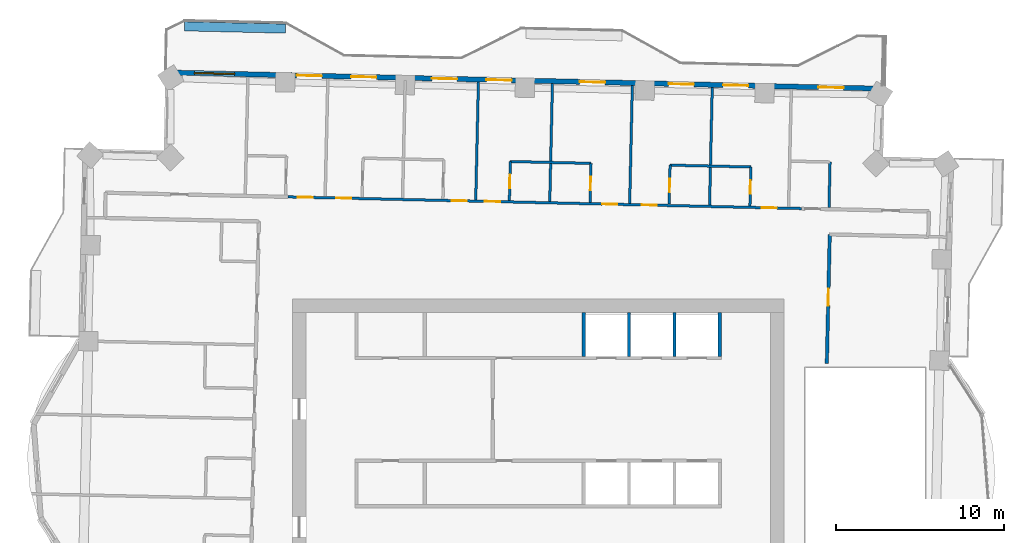
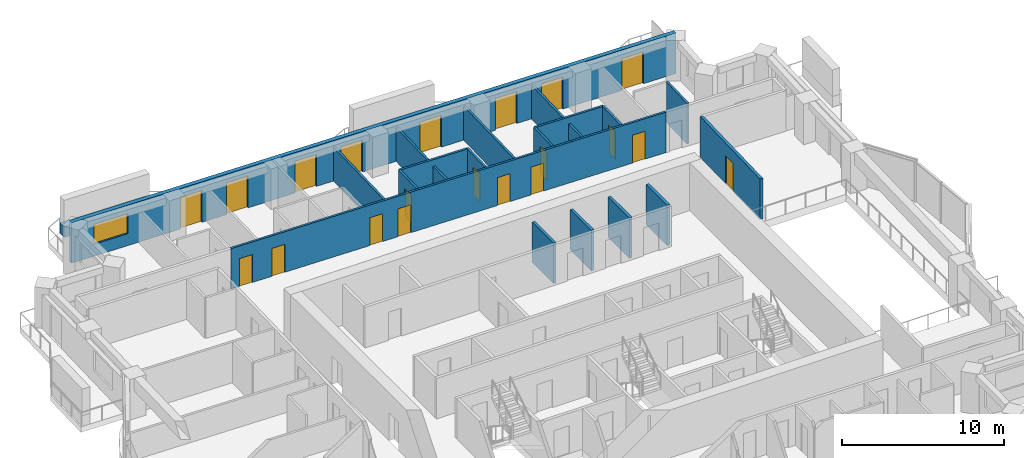
# One storey, part 11 of 16: 20 doors, 19 walls, 1 window, 21 openings.
"""IFC4 building model written with IfcOpenShell, lengths in metres."""

import ifcopenshell
import ifcopenshell.guid

model = None  # the IFC model being written
_history = None  # IfcOwnerHistory: only IFC2X3 demands one
_inside = {}  # id of a spatial element -> (the spatial element, [elements in it])
_under = {}  # id of a project, library or spatial element -> (it, [spatial elements below it])
_declared = {}  # id of a project -> (the project, [libraries it declares])
_typed = {}  # id of a type object -> (the type object, [elements of that type])
_made_of = {}  # id of a material, layer set ... -> (it, [elements and type objects made of it])


def new_model(schema):
    """Start an empty IFC model of exactly this schema.

    Asked for "IFC4X3", IfcOpenShell would pick the latest addendum, in which some entities
    have other attributes; the version numbers below select the first issue.
    IFC2X3 requires an IfcOwnerHistory on every rooted entity: one is made here for all.
    """
    global model, _history
    if schema == "IFC4X3":
        model = ifcopenshell.file(schema_version=(4, 3, 0, 0))
    else:
        model = ifcopenshell.file(schema=schema)
    _inside.clear()
    _under.clear()
    _declared.clear()
    _typed.clear()
    _made_of.clear()
    _history = None
    if model.schema == "IFC2X3":
        org = make("IfcOrganization", Name="unknown")
        user = make(
            "IfcPersonAndOrganization",
            ThePerson=make("IfcPerson", FamilyName="unknown"),
            TheOrganization=org,
        )
        app = make(
            "IfcApplication",
            ApplicationDeveloper=org,
            Version="unknown",
            ApplicationFullName="unknown",
            ApplicationIdentifier="unknown",
        )
        _history = make(
            "IfcOwnerHistory",
            OwningUser=user,
            OwningApplication=app,
            ChangeAction="ADDED",
            CreationDate=0,
        )
    return model


def make(cls, **values):
    """One entity of the class cls with the attributes given. An attribute that is None is left unset."""
    return model.create_entity(
        cls, **{name: value for name, value in values.items() if value is not None}
    )


def rooted(cls, **values):
    """An entity with a GlobalId (a new one), such as an element, a storey or a relation."""
    return make(cls, GlobalId=ifcopenshell.guid.new(), OwnerHistory=_history, **values)


def si_unit(unit_type, name, prefix=None):
    """IfcSIUnit, for example si_unit("LENGTHUNIT", "METRE", prefix="MILLI")."""
    return make("IfcSIUnit", UnitType=unit_type, Prefix=prefix, Name=name)


def assignment(units):
    """IfcUnitAssignment: the units of a project."""
    return None if units is None else make("IfcUnitAssignment", Units=units)


def point(xyz):
    """IfcCartesianPoint."""
    return None if xyz is None else make("IfcCartesianPoint", Coordinates=xyz)


def direction(xyz):
    """IfcDirection."""
    return None if xyz is None else make("IfcDirection", DirectionRatios=xyz)


def frame(location, z_axis=None, x_axis=None):
    """IfcAxis2Placement3D, a coordinate frame: its origin and axes. An axis left out is left unset."""
    return make(
        "IfcAxis2Placement3D",
        Location=point(location),
        Axis=direction(z_axis),
        RefDirection=direction(x_axis),
    )


def frame_2d(location, x_axis=None):
    """IfcAxis2Placement2D, a coordinate frame in the plane: its origin and x axis."""
    return make(
        "IfcAxis2Placement2D", Location=point(location), RefDirection=direction(x_axis)
    )


def origin():
    """The frame at (0, 0, 0) with its axes left unset."""
    return frame((0.0, 0.0, 0.0))


def place(relative_to, where):
    """IfcLocalPlacement: puts the frame where relative to a parent placement (None: the world)."""
    return make(
        "IfcLocalPlacement", PlacementRelTo=relative_to, RelativePlacement=where
    )


def context(
    kind, dimensions, precision=None, world=None, true_north=None, identifier=None
):
    """IfcGeometricRepresentationContext, for example the 3D "Model" context."""
    return make(
        "IfcGeometricRepresentationContext",
        ContextIdentifier=identifier,
        ContextType=kind,
        CoordinateSpaceDimension=dimensions,
        Precision=precision,
        WorldCoordinateSystem=world,
        TrueNorth=true_north,
    )


def subcontext(parent, identifier, kind, view, scale=None):
    """IfcGeometricRepresentationSubContext, for example "Body" below "Model"."""
    return make(
        "IfcGeometricRepresentationSubContext",
        ContextIdentifier=identifier,
        ContextType=kind,
        ParentContext=parent,
        TargetScale=scale,
        TargetView=view,
    )


def project(units=None, contexts=None):
    """IfcProject with its units and contexts."""
    return rooted(
        "IfcProject",
        Name="project",
        RepresentationContexts=contexts,
        UnitsInContext=assignment(units),
    )


def spatial(cls, under=None, at=None, **own):
    """A site, building, storey or space (cls), placed at a placement, below another one or the project."""
    s = rooted(cls, ObjectPlacement=at, **own)
    if under is not None:
        _under.setdefault(under.id(), (under, []))[1].append(s)
    return s


def profile(cls, at=None, kind="AREA", **sizes):
    """A parametric profile (cls). Its sizes go by their IFC names, for example OverallWidth=200.0."""
    return make(cls, ProfileType=kind, Position=at, **sizes)


def rectangle(**sizes):
    """IfcRectangleProfileDef."""
    return profile("IfcRectangleProfileDef", **sizes)


def extrude(swept, where, along, depth):
    """IfcExtrudedAreaSolid: the profile swept, set in the frame where, extruded along a direction by depth."""
    return make(
        "IfcExtrudedAreaSolid",
        SweptArea=swept,
        Position=where,
        ExtrudedDirection=direction(along),
        Depth=depth,
    )


def shape(context_of_items, identifier, shape_type, items):
    """IfcShapeRepresentation: the items that make up one representation, for example the "Body"."""
    return make(
        "IfcShapeRepresentation",
        ContextOfItems=context_of_items,
        RepresentationIdentifier=identifier,
        RepresentationType=shape_type,
        Items=items,
    )


def material(Name=None, Category=None):
    """IfcMaterial."""
    return make("IfcMaterial", Name=Name, Category=Category)


def layer(
    of_material, thickness, ventilated=None, Name=None, Category=None, Priority=None
):
    """IfcMaterialLayer: one layer of a wall or slab, of a material (None: an air gap)."""
    return make(
        "IfcMaterialLayer",
        Material=of_material,
        LayerThickness=thickness,
        IsVentilated=ventilated,
        Name=Name,
        Category=Category,
        Priority=Priority,
    )


def layer_set(layers, Name=None):
    """IfcMaterialLayerSet."""
    return make("IfcMaterialLayerSet", MaterialLayers=layers, LayerSetName=Name)


def made_of(thing, what):
    """Note that an element or type object is made of a material, layer set ...; save() writes the relation."""
    if what is not None:
        _made_of.setdefault(what.id(), (what, []))[1].append(thing)
    return thing


def type_object(cls, material=None, **own):
    """A type object (cls), such as IfcWallType, which elements share."""
    return made_of(rooted(cls, **own), material)


def element(
    cls,
    number,
    at=None,
    inside=None,
    cuts=None,
    type_object=None,
    material=None,
    context=None,
    identifier="Body",
    shape_type=None,
    held_by="IfcProductDefinitionShape",
    body=None,
    shapes=None,
    **own,
):
    """One element of the class cls, such as IfcWall. Its Tag is "e" and its number.

    at: its placement. inside: the storey or other place that contains it. cuts: it is an
    opening in that element (IfcRelVoidsElement). A single representation is given by context,
    identifier, shape_type and body (its items); several are given by shapes. held_by: the class
    of the entity that holds the representations. save() writes the other relations.
    """
    e = rooted(cls, Tag="e%d" % number, ObjectPlacement=at, **own)
    if body is not None:
        shapes = [shape(context, identifier, shape_type, body)]
    if shapes is not None:
        e.Representation = make(held_by, Representations=shapes)
    if inside is not None:
        _inside.setdefault(inside.id(), (inside, []))[1].append(e)
    if cuts is not None:
        rooted(
            "IfcRelVoidsElement", RelatingBuildingElement=cuts, RelatedOpeningElement=e
        )
    if type_object is not None:
        _typed.setdefault(type_object.id(), (type_object, []))[1].append(e)
    return made_of(e, material)


def fill(opening, filler):
    """IfcRelFillsElement: the door or window that sits in an opening."""
    return rooted(
        "IfcRelFillsElement",
        RelatingOpeningElement=opening,
        RelatedBuildingElement=filler,
    )


def aggregate(whole, parts):
    """IfcRelAggregates: a whole, such as a stair, and the parts it consists of."""
    return rooted("IfcRelAggregates", RelatingObject=whole, RelatedObjects=parts)


def save(model, path):
    """Write the relations noted so far, then the file.

    IfcRelAggregates (storeys below a building ...), IfcRelContainedInSpatialStructure (elements
    in a storey), IfcRelDefinesByType, IfcRelAssociatesMaterial and IfcRelDeclares: one each for
    every whole, place, type object, material and project.
    """
    for whole, parts in _under.values():
        aggregate(whole, parts)
    for where, things in _inside.values():
        rooted(
            "IfcRelContainedInSpatialStructure",
            RelatedElements=things,
            RelatingStructure=where,
        )
    for kind, things in _typed.values():
        rooted("IfcRelDefinesByType", RelatedObjects=things, RelatingType=kind)
    for what, things in _made_of.values():
        rooted("IfcRelAssociatesMaterial", RelatedObjects=things, RelatingMaterial=what)
    for by, libraries in _declared.values():
        rooted("IfcRelDeclares", RelatingContext=by, RelatedDefinitions=libraries)
    model.write(path)


model = new_model("IFC4")

# Units and contexts
model_context = context("Model", 3, precision=1e-05, world=origin(), true_north=direction((0.0, 1.0)))
body_context = subcontext(model_context, "Body", "Model", "MODEL_VIEW")
ifc_project = project(units=[si_unit("LENGTHUNIT", "METRE"), si_unit("AREAUNIT", "SQUARE_METRE"), si_unit("VOLUMEUNIT", "CUBIC_METRE"), si_unit("PLANEANGLEUNIT", "RADIAN"), si_unit("MASSUNIT", "GRAM", prefix="KILO")], contexts=[model_context])

# Site, building, storey
site_placement = place(None, origin())
site = spatial("IfcSite", under=ifc_project, at=site_placement, CompositionType="ELEMENT")
building_placement = place(site_placement, origin())
building = spatial("IfcBuilding", under=site, at=building_placement, Name="Mangrove Gate Tower", CompositionType="ELEMENT")
storey_placement = place(building_placement, frame((0.0, 0.0, 197.89990234375)))
storey = spatial("IfcBuildingStorey", under=building, at=storey_placement, Name="L50", CompositionType="ELEMENT", Elevation=197.89990234375)

# Walls
ifc_material_1 = material(Name="Concrete C60/75", Category="concrete")
ifc_layer_1 = layer(ifc_material_1, 0.199951171875)
ifc_layer_set_1 = layer_set([ifc_layer_1], Name="Core shaft wall 200 C60/75")
wall_type_1 = type_object("IfcWallType", Name="Core shaft wall 200 C60/75", PredefinedType="SHEAR", material=ifc_layer_set_1)
for number, where, z_axis, x_axis, name in (
    (1, (2.699951171875, 8.199951171875, 0.0), (0.0, 0.0, 1.0), (0.0, 1.0, 0.0), "WALL-L50-CORE-27"),
    (2, (5.39990234375, 8.199951171875, 0.0), (0.0, 0.0, 1.0), (0.0, 1.0, 0.0), "WALL-L50-CORE-28"),
    (3, (8.10009765625, 8.199951171875, 0.0), (0.0, 0.0, 1.0), (0.0, 1.0, 0.0), "WALL-L50-CORE-29"),
    (4, (10.800048828125, 8.199951171875, 0.0), (0.0, 0.0, 1.0), (0.0, 1.0, 0.0), "WALL-L50-CORE-30"),
):
    element("IfcWall", number, at=place(storey_placement, frame(where, z_axis=z_axis, x_axis=x_axis)), inside=storey, type_object=wall_type_1, Name=name, PredefinedType="SHEAR", context=body_context, shape_type="SweptSolid", body=[
        extrude(rectangle(XDim=2.60009765625, YDim=0.199951171875, at=frame_2d((1.300048828125, 0.0))), origin(), (0.0, 0.0, 1.0), 3.050048828125),
    ])

# Wall, opening, door
ifc_material_2 = material(Name="Gypsum board on steel stud, EI 60", Category="steel")
ifc_layer_2 = layer(ifc_material_2, 0.199951171875)
ifc_layer_set_2 = layer_set([ifc_layer_2], Name="Corridor wall EI 60")
wall_type_2 = type_object("IfcWallType", Name="Corridor wall EI 60", PredefinedType="PARTITIONING", material=ifc_layer_set_2)
wall_1_placement = place(storey_placement, frame((17.154052734375, 7.785888671875, 0.0), z_axis=(0.0, 0.0, 1.0), x_axis=(0.022680883318, 0.999742755679, 0.0)))
wall_1 = element("IfcWall", 5, at=wall_1_placement, inside=storey, type_object=wall_type_2, Name="WALL-L50-044", PredefinedType="PARTITIONING", context=body_context, shape_type="SweptSolid", body=[
    extrude(rectangle(XDim=7.6640625, YDim=0.199951171875, at=frame_2d((3.83203125, 0.0))), origin(), (0.0, 0.0, 1.0), 3.050048828125),
])
opening_1_placement = place(wall_1_placement, frame((3.43408203125, 0.0, 0.0)))
opening_1 = element("IfcOpeningElement", 6, at=opening_1_placement, cuts=wall_1, Name="Opening AD", PredefinedType="OPENING", context=body_context, shape_type="SweptSolid", body=[
    extrude(rectangle(XDim=1.0, YDim=2.10009765625, at=frame_2d((0.5, 1.050048828125))), frame((0.0, 0.10986328125, 0.0), z_axis=(0.0, -1.0, 0.0), x_axis=(1.0, 0.0, 0.0)), (0.0, 0.0, 1.0), 0.219970703125),
])
ifc_material_3 = material(Name="Timber door leaf", Category="wood")
door_type_1 = type_object("IfcDoorType", Name="Amenity door 1000", OperationType="SINGLE_SWING_LEFT", PredefinedType="DOOR", material=ifc_material_3)
door_1_placement = place(opening_1_placement, origin())
door_1 = element("IfcDoor", 7, at=door_1_placement, inside=storey, type_object=door_type_1, Name="DOOR-L50-GAM-c3a", OperationType="SINGLE_SWING_RIGHT", OverallHeight=2.10009765625, OverallWidth=1.0, PredefinedType="DOOR", context=body_context, shape_type="SweptSolid", body=[
    extrude(rectangle(XDim=1.0, YDim=2.10009765625, at=frame_2d((0.5, 1.050048828125))), frame((0.0, 0.02490234375, 0.0), z_axis=(0.0, -1.0, 0.0), x_axis=(1.0, 0.0, 0.0)), (0.0, 0.0, 1.0), 0.050048828125),
])
fill(opening_1, door_1)

# Wall, openings, doors, window
ifc_material_4 = material(Name="Limestone", Category="masonry")
ifc_layer_3 = layer(ifc_material_4, 0.0400390625, Name="Limestone cladding")
ifc_material_5 = material(Name="Ventilated air gap")
ifc_layer_4 = layer(ifc_material_5, 0.0400390625, Name="Ventilated cavity")
ifc_material_6 = material(Name="Mineral wool insulation")
ifc_layer_5 = layer(ifc_material_6, 0.06005859375, Name="Insulation")
ifc_material_7 = material(Name="Breather membrane")
ifc_layer_6 = layer(ifc_material_7, 0.001953125, Name="Breather membrane")
ifc_material_8 = material(Name="Concrete C20/25 blockwork", Category="masonry")
ifc_layer_7 = layer(ifc_material_8, 0.14990234375, Name="Blockwork backing wall")
ifc_material_9 = material(Name="Gypsum plaster")
ifc_layer_8 = layer(ifc_material_9, 0.008056640625, Name="Internal plaster")
ifc_layer_set_3 = layer_set([ifc_layer_3, ifc_layer_4, ifc_layer_5, ifc_layer_6, ifc_layer_7, ifc_layer_8], Name="External wall 300 limestone cladding")
wall_type_3 = type_object("IfcWallType", Name="External wall 300 limestone cladding", PredefinedType="SOLIDWALL", material=ifc_layer_set_3)
wall_2_placement = place(storey_placement, frame((20.43701171875, 24.10595703125, 0.0), z_axis=(0.0, 0.0, 1.0), x_axis=(-0.999742506232, 0.022691875925, 0.0)))
wall_2 = element("IfcWall", 8, at=wall_2_placement, inside=storey, type_object=wall_type_3, Name="WALL-L50-N5", PredefinedType="SOLIDWALL", context=body_context, shape_type="SweptSolid", body=[
    extrude(rectangle(XDim=42.444091796875, YDim=0.300048828125, at=frame_2d((21.22216796875, 0.0))), origin(), (0.0, 0.0, 1.0), 3.050048828125),
])
opening_2_placement = place(wall_2_placement, frame((2.287109375, 0.0, 0.0)))
opening_2 = element("IfcOpeningElement", 9, at=opening_2_placement, cuts=wall_2, Name="Opening BD1", PredefinedType="OPENING", context=body_context, shape_type="SweptSolid", body=[
    extrude(rectangle(XDim=1.5, YDim=2.39990234375, at=frame_2d((0.75, 1.199951171875))), frame((0.0, 0.159912109375, 0.0), z_axis=(0.0, -1.0, 0.0), x_axis=(1.0, 0.0, 0.0)), (0.0, 0.0, 1.0), 0.320068359375),
])
opening_3_placement = place(wall_2_placement, frame((7.947021484375, 0.0, 0.0)))
opening_3 = element("IfcOpeningElement", 10, at=opening_3_placement, cuts=wall_2, Name="Opening BD1", PredefinedType="OPENING", context=body_context, shape_type="SweptSolid", body=[
    extrude(rectangle(XDim=1.5, YDim=2.39990234375, at=frame_2d((0.75, 1.199951171875))), frame((0.0, 0.159912109375, 0.0), z_axis=(0.0, -1.0, 0.0), x_axis=(1.0, 0.0, 0.0)), (0.0, 0.0, 1.0), 0.320068359375),
])
opening_4_placement = place(wall_2_placement, frame((11.18408203125, 0.0, 0.0)))
opening_4 = element("IfcOpeningElement", 11, at=opening_4_placement, cuts=wall_2, Name="Opening BD1", PredefinedType="OPENING", context=body_context, shape_type="SweptSolid", body=[
    extrude(rectangle(XDim=1.5, YDim=2.39990234375, at=frame_2d((0.75, 1.199951171875))), frame((0.0, 0.159912109375, 0.0), z_axis=(0.0, -1.0, 0.0), x_axis=(1.0, 0.0, 0.0)), (0.0, 0.0, 1.0), 0.320068359375),
])
opening_5_placement = place(wall_2_placement, frame((16.468994140625, 0.0, 0.0)))
opening_5 = element("IfcOpeningElement", 12, at=opening_5_placement, cuts=wall_2, Name="Opening BD1", PredefinedType="OPENING", context=body_context, shape_type="SweptSolid", body=[
    extrude(rectangle(XDim=1.5, YDim=2.39990234375, at=frame_2d((0.75, 1.199951171875))), frame((0.0, 0.159912109375, 0.0), z_axis=(0.0, -1.0, 0.0), x_axis=(1.0, 0.0, 0.0)), (0.0, 0.0, 1.0), 0.320068359375),
])
opening_6_placement = place(wall_2_placement, frame((22.02001953125, 0.0, 0.0)))
opening_6 = element("IfcOpeningElement", 13, at=opening_6_placement, cuts=wall_2, Name="Opening BD1", PredefinedType="OPENING", context=body_context, shape_type="SweptSolid", body=[
    extrude(rectangle(XDim=1.5, YDim=2.39990234375, at=frame_2d((0.75, 1.199951171875))), frame((0.0, 0.159912109375, 0.0), z_axis=(0.0, -1.0, 0.0), x_axis=(1.0, 0.0, 0.0)), (0.0, 0.0, 1.0), 0.320068359375),
])
opening_7_placement = place(wall_2_placement, frame((25.257080078125, 0.0, 0.0)))
opening_7 = element("IfcOpeningElement", 14, at=opening_7_placement, cuts=wall_2, Name="Opening BD1", PredefinedType="OPENING", context=body_context, shape_type="SweptSolid", body=[
    extrude(rectangle(XDim=1.5, YDim=2.39990234375, at=frame_2d((0.75, 1.199951171875))), frame((0.0, 0.159912109375, 0.0), z_axis=(0.0, -1.0, 0.0), x_axis=(1.0, 0.0, 0.0)), (0.0, 0.0, 1.0), 0.320068359375),
])
opening_8_placement = place(wall_2_placement, frame((30.056884765625, 0.0, 0.0)))
opening_8 = element("IfcOpeningElement", 15, at=opening_8_placement, cuts=wall_2, Name="Opening BD1", PredefinedType="OPENING", context=body_context, shape_type="SweptSolid", body=[
    extrude(rectangle(XDim=1.5, YDim=2.39990234375, at=frame_2d((0.75, 1.199951171875))), frame((0.0, 0.159912109375, 0.0), z_axis=(0.0, -1.0, 0.0), x_axis=(1.0, 0.0, 0.0)), (0.0, 0.0, 1.0), 0.320068359375),
])
opening_9_placement = place(wall_2_placement, frame((33.2939453125, 0.0, 0.0)))
opening_9 = element("IfcOpeningElement", 16, at=opening_9_placement, cuts=wall_2, Name="Opening BD1", PredefinedType="OPENING", context=body_context, shape_type="SweptSolid", body=[
    extrude(rectangle(XDim=1.5, YDim=2.39990234375, at=frame_2d((0.75, 1.199951171875))), frame((0.0, 0.159912109375, 0.0), z_axis=(0.0, -1.0, 0.0), x_axis=(1.0, 0.0, 0.0)), (0.0, 0.0, 1.0), 0.320068359375),
])
opening_10_placement = place(wall_2_placement, frame((38.48388671875, 0.0, 0.89990234375)))
opening_10 = element("IfcOpeningElement", 17, at=opening_10_placement, cuts=wall_2, Name="Opening W2", PredefinedType="OPENING", context=body_context, shape_type="SweptSolid", body=[
    extrude(rectangle(XDim=2.39990234375, YDim=1.5, at=frame_2d((1.199951171875, 0.75))), frame((0.0, 0.159912109375, 0.0), z_axis=(0.0, -1.0, 0.0), x_axis=(1.0, 0.0, 0.0)), (0.0, 0.0, 1.0), 0.320068359375),
])
ifc_material_10 = material(Name="Aluminium frame with laminated clear glass", Category="aluminium")
door_type_2 = type_object("IfcDoorType", Name="Balcony sliding door 1500x2400", OperationType="SLIDING_TO_LEFT", PredefinedType="DOOR", material=ifc_material_10)
door_2_placement = place(opening_2_placement, origin())
door_2 = element("IfcDoor", 18, at=door_2_placement, inside=storey, type_object=door_type_2, Name="DOOR-L50-N5-1", OperationType="SLIDING_TO_LEFT", OverallHeight=2.39990234375, OverallWidth=1.5, PredefinedType="DOOR", context=body_context, shape_type="SweptSolid", body=[
    extrude(rectangle(XDim=1.5, YDim=2.39990234375, at=frame_2d((0.75, 1.199951171875))), frame((0.0, 0.02490234375, 0.0), z_axis=(0.0, -1.0, 0.0), x_axis=(1.0, 0.0, 0.0)), (0.0, 0.0, 1.0), 0.050048828125),
])
fill(opening_2, door_2)
door_3_placement = place(opening_3_placement, origin())
door_3 = element("IfcDoor", 19, at=door_3_placement, inside=storey, type_object=door_type_2, Name="DOOR-L50-N5-2", OperationType="SLIDING_TO_LEFT", OverallHeight=2.39990234375, OverallWidth=1.5, PredefinedType="DOOR", context=body_context, shape_type="SweptSolid", body=[
    extrude(rectangle(XDim=1.5, YDim=2.39990234375, at=frame_2d((0.75, 1.199951171875))), frame((0.0, 0.02490234375, 0.0), z_axis=(0.0, -1.0, 0.0), x_axis=(1.0, 0.0, 0.0)), (0.0, 0.0, 1.0), 0.050048828125),
])
fill(opening_3, door_3)
door_4_placement = place(opening_4_placement, origin())
door_4 = element("IfcDoor", 20, at=door_4_placement, inside=storey, type_object=door_type_2, Name="DOOR-L50-N5-3", OperationType="SLIDING_TO_LEFT", OverallHeight=2.39990234375, OverallWidth=1.5, PredefinedType="DOOR", context=body_context, shape_type="SweptSolid", body=[
    extrude(rectangle(XDim=1.5, YDim=2.39990234375, at=frame_2d((0.75, 1.199951171875))), frame((0.0, 0.02490234375, 0.0), z_axis=(0.0, -1.0, 0.0), x_axis=(1.0, 0.0, 0.0)), (0.0, 0.0, 1.0), 0.050048828125),
])
fill(opening_4, door_4)
door_5_placement = place(opening_5_placement, origin())
door_5 = element("IfcDoor", 21, at=door_5_placement, inside=storey, type_object=door_type_2, Name="DOOR-L50-N5-4", OperationType="SLIDING_TO_LEFT", OverallHeight=2.39990234375, OverallWidth=1.5, PredefinedType="DOOR", context=body_context, shape_type="SweptSolid", body=[
    extrude(rectangle(XDim=1.5, YDim=2.39990234375, at=frame_2d((0.75, 1.199951171875))), frame((0.0, 0.02490234375, 0.0), z_axis=(0.0, -1.0, 0.0), x_axis=(1.0, 0.0, 0.0)), (0.0, 0.0, 1.0), 0.050048828125),
])
fill(opening_5, door_5)
door_6_placement = place(opening_6_placement, origin())
door_6 = element("IfcDoor", 22, at=door_6_placement, inside=storey, type_object=door_type_2, Name="DOOR-L50-N5-5", OperationType="SLIDING_TO_LEFT", OverallHeight=2.39990234375, OverallWidth=1.5, PredefinedType="DOOR", context=body_context, shape_type="SweptSolid", body=[
    extrude(rectangle(XDim=1.5, YDim=2.39990234375, at=frame_2d((0.75, 1.199951171875))), frame((0.0, 0.02490234375, 0.0), z_axis=(0.0, -1.0, 0.0), x_axis=(1.0, 0.0, 0.0)), (0.0, 0.0, 1.0), 0.050048828125),
])
fill(opening_6, door_6)
door_7_placement = place(opening_7_placement, origin())
door_7 = element("IfcDoor", 23, at=door_7_placement, inside=storey, type_object=door_type_2, Name="DOOR-L50-N5-6", OperationType="SLIDING_TO_LEFT", OverallHeight=2.39990234375, OverallWidth=1.5, PredefinedType="DOOR", context=body_context, shape_type="SweptSolid", body=[
    extrude(rectangle(XDim=1.5, YDim=2.39990234375, at=frame_2d((0.75, 1.199951171875))), frame((0.0, 0.02490234375, 0.0), z_axis=(0.0, -1.0, 0.0), x_axis=(1.0, 0.0, 0.0)), (0.0, 0.0, 1.0), 0.050048828125),
])
fill(opening_7, door_7)
door_8_placement = place(opening_8_placement, origin())
door_8 = element("IfcDoor", 24, at=door_8_placement, inside=storey, type_object=door_type_2, Name="DOOR-L50-N5-7", OperationType="SLIDING_TO_LEFT", OverallHeight=2.39990234375, OverallWidth=1.5, PredefinedType="DOOR", context=body_context, shape_type="SweptSolid", body=[
    extrude(rectangle(XDim=1.5, YDim=2.39990234375, at=frame_2d((0.75, 1.199951171875))), frame((0.0, 0.02490234375, 0.0), z_axis=(0.0, -1.0, 0.0), x_axis=(1.0, 0.0, 0.0)), (0.0, 0.0, 1.0), 0.050048828125),
])
fill(opening_8, door_8)
door_9_placement = place(opening_9_placement, origin())
door_9 = element("IfcDoor", 25, at=door_9_placement, inside=storey, type_object=door_type_2, Name="DOOR-L50-N5-8", OperationType="SLIDING_TO_LEFT", OverallHeight=2.39990234375, OverallWidth=1.5, PredefinedType="DOOR", context=body_context, shape_type="SweptSolid", body=[
    extrude(rectangle(XDim=1.5, YDim=2.39990234375, at=frame_2d((0.75, 1.199951171875))), frame((0.0, 0.02490234375, 0.0), z_axis=(0.0, -1.0, 0.0), x_axis=(1.0, 0.0, 0.0)), (0.0, 0.0, 1.0), 0.050048828125),
])
fill(opening_9, door_9)
ifc_material_11 = material(Name="Aluminium frame with double-glazed low-e glass", Category="aluminium")
window_type = type_object("IfcWindowType", Name="Corner room window 2400x1500", PartitioningType="DOUBLE_PANEL_VERTICAL", PredefinedType="WINDOW", material=ifc_material_11)
window_placement = place(opening_10_placement, origin())
window = element("IfcWindow", 26, at=window_placement, inside=storey, type_object=window_type, Name="WIN-L50-N5-9", OverallHeight=1.5, OverallWidth=2.39990234375, PartitioningType="DOUBLE_PANEL_VERTICAL", PredefinedType="WINDOW", context=body_context, shape_type="SweptSolid", body=[
    extrude(rectangle(XDim=2.39990234375, YDim=1.5, at=frame_2d((1.199951171875, 0.75))), frame((0.0, 0.030029296875, 0.0), z_axis=(0.0, -1.0, 0.0), x_axis=(1.0, 0.0, 0.0)), (0.0, 0.0, 1.0), 0.06005859375),
])
fill(opening_10, window)

# Wall, openings, doors
ifc_material_12 = material(Name="Gypsum board on steel stud, EI 60", Category="steel")
ifc_layer_9 = layer(ifc_material_12, 0.14990234375)
ifc_layer_set_4 = layer_set([ifc_layer_9], Name="Party wall 150 EI 60")
wall_type_4 = type_object("IfcWallType", Name="Party wall 150 EI 60", PredefinedType="PARTITIONING", material=ifc_layer_set_4)
wall_3_placement = place(storey_placement, frame((-14.87109375, 17.675048828125, 0.0), z_axis=(0.0, 0.0, 1.0), x_axis=(0.999742359486, -0.02269834024, 0.0)))
wall_3 = element("IfcWall", 27, at=wall_3_placement, inside=storey, type_object=wall_type_4, Name="WALL-L50-055", PredefinedType="PARTITIONING", context=body_context, shape_type="SweptSolid", body=[
    extrude(rectangle(XDim=30.535888671875, YDim=0.14990234375, at=frame_2d((15.26806640625, 0.0))), origin(), (0.0, 0.0, 1.0), 3.050048828125),
])
opening_11_placement = place(wall_3_placement, frame((28.158935546875, 0.0, 0.0)))
opening_11 = element("IfcOpeningElement", 28, at=opening_11_placement, cuts=wall_3, Name="Opening BD", PredefinedType="OPENING", context=body_context, shape_type="SweptSolid", body=[
    extrude(rectangle(XDim=0.89990234375, YDim=2.10009765625, at=frame_2d((0.449951171875, 1.050048828125))), frame((0.0, 0.0849609375, 0.0), z_axis=(0.0, -1.0, 0.0), x_axis=(1.0, 0.0, 0.0)), (0.0, 0.0, 1.0), 0.169921875),
])
opening_12_placement = place(wall_3_placement, frame((21.033935546875, 0.0, 0.0)))
opening_12 = element("IfcOpeningElement", 29, at=opening_12_placement, cuts=wall_3, Name="Opening BD", PredefinedType="OPENING", context=body_context, shape_type="SweptSolid", body=[
    extrude(rectangle(XDim=0.89990234375, YDim=2.10009765625, at=frame_2d((0.449951171875, 1.050048828125))), frame((0.0, 0.0849609375, 0.0), z_axis=(0.0, -1.0, 0.0), x_axis=(1.0, 0.0, 0.0)), (0.0, 0.0, 1.0), 0.169921875),
])
opening_13_placement = place(wall_3_placement, frame((18.68408203125, 0.0, 0.0)))
opening_13 = element("IfcOpeningElement", 30, at=opening_13_placement, cuts=wall_3, Name="Opening BD", PredefinedType="OPENING", context=body_context, shape_type="SweptSolid", body=[
    extrude(rectangle(XDim=0.89990234375, YDim=2.10009765625, at=frame_2d((0.449951171875, 1.050048828125))), frame((0.0, 0.0849609375, 0.0), z_axis=(0.0, -1.0, 0.0), x_axis=(1.0, 0.0, 0.0)), (0.0, 0.0, 1.0), 0.169921875),
])
opening_14_placement = place(wall_3_placement, frame((11.708984375, 0.0, 0.0)))
opening_14 = element("IfcOpeningElement", 31, at=opening_14_placement, cuts=wall_3, Name="Opening BD", PredefinedType="OPENING", context=body_context, shape_type="SweptSolid", body=[
    extrude(rectangle(XDim=0.89990234375, YDim=2.10009765625, at=frame_2d((0.449951171875, 1.050048828125))), frame((0.0, 0.0849609375, 0.0), z_axis=(0.0, -1.0, 0.0), x_axis=(1.0, 0.0, 0.0)), (0.0, 0.0, 1.0), 0.169921875),
])
opening_15_placement = place(wall_3_placement, frame((9.73388671875, 0.0, 0.0)))
opening_15 = element("IfcOpeningElement", 32, at=opening_15_placement, cuts=wall_3, Name="Opening BD", PredefinedType="OPENING", context=body_context, shape_type="SweptSolid", body=[
    extrude(rectangle(XDim=0.89990234375, YDim=2.10009765625, at=frame_2d((0.449951171875, 1.050048828125))), frame((0.0, 0.0849609375, 0.0), z_axis=(0.0, -1.0, 0.0), x_axis=(1.0, 0.0, 0.0)), (0.0, 0.0, 1.0), 0.169921875),
])
opening_16_placement = place(wall_3_placement, frame((2.85888671875, 0.0, 0.0)))
opening_16 = element("IfcOpeningElement", 33, at=opening_16_placement, cuts=wall_3, Name="Opening BD", PredefinedType="OPENING", context=body_context, shape_type="SweptSolid", body=[
    extrude(rectangle(XDim=0.89990234375, YDim=2.10009765625, at=frame_2d((0.449951171875, 1.050048828125))), frame((0.0, 0.0849609375, 0.0), z_axis=(0.0, -1.0, 0.0), x_axis=(1.0, 0.0, 0.0)), (0.0, 0.0, 1.0), 0.169921875),
])
opening_17_placement = place(wall_3_placement, frame((0.583984375, 0.0, 0.0)))
opening_17 = element("IfcOpeningElement", 34, at=opening_17_placement, cuts=wall_3, Name="Opening BD", PredefinedType="OPENING", context=body_context, shape_type="SweptSolid", body=[
    extrude(rectangle(XDim=0.89990234375, YDim=2.10009765625, at=frame_2d((0.449951171875, 1.050048828125))), frame((0.0, 0.0849609375, 0.0), z_axis=(0.0, -1.0, 0.0), x_axis=(1.0, 0.0, 0.0)), (0.0, 0.0, 1.0), 0.169921875),
])
ifc_material_13 = material(Name="Timber door leaf", Category="wood")
door_type_3 = type_object("IfcDoorType", Name="Bedroom door 900", OperationType="SINGLE_SWING_LEFT", PredefinedType="DOOR", material=ifc_material_13)
door_10_placement = place(opening_11_placement, origin())
door_10 = element("IfcDoor", 35, at=door_10_placement, inside=storey, type_object=door_type_3, Name="DOOR-L50-BED-c308", OperationType="SINGLE_SWING_RIGHT", OverallHeight=2.10009765625, OverallWidth=0.89990234375, PredefinedType="DOOR", context=body_context, shape_type="SweptSolid", body=[
    extrude(rectangle(XDim=0.89990234375, YDim=2.10009765625, at=frame_2d((0.449951171875, 1.050048828125))), frame((0.0, 0.02490234375, 0.0), z_axis=(0.0, -1.0, 0.0), x_axis=(1.0, 0.0, 0.0)), (0.0, 0.0, 1.0), 0.050048828125),
])
fill(opening_11, door_10)
door_11_placement = place(opening_12_placement, origin())
door_11 = element("IfcDoor", 36, at=door_11_placement, inside=storey, type_object=door_type_3, Name="DOOR-L50-BED-c309", OperationType="SINGLE_SWING_LEFT", OverallHeight=2.10009765625, OverallWidth=0.89990234375, PredefinedType="DOOR", context=body_context, shape_type="SweptSolid", body=[
    extrude(rectangle(XDim=0.89990234375, YDim=2.10009765625, at=frame_2d((0.449951171875, 1.050048828125))), frame((0.0, 0.02490234375, 0.0), z_axis=(0.0, -1.0, 0.0), x_axis=(1.0, 0.0, 0.0)), (0.0, 0.0, 1.0), 0.050048828125),
])
fill(opening_12, door_11)
door_12_placement = place(opening_13_placement, origin())
door_12 = element("IfcDoor", 37, at=door_12_placement, inside=storey, type_object=door_type_3, Name="DOOR-L50-BED-c410", OperationType="SINGLE_SWING_RIGHT", OverallHeight=2.10009765625, OverallWidth=0.89990234375, PredefinedType="DOOR", context=body_context, shape_type="SweptSolid", body=[
    extrude(rectangle(XDim=0.89990234375, YDim=2.10009765625, at=frame_2d((0.449951171875, 1.050048828125))), frame((0.0, 0.02490234375, 0.0), z_axis=(0.0, -1.0, 0.0), x_axis=(1.0, 0.0, 0.0)), (0.0, 0.0, 1.0), 0.050048828125),
])
fill(opening_13, door_12)
door_13_placement = place(opening_14_placement, origin())
door_13 = element("IfcDoor", 38, at=door_13_placement, inside=storey, type_object=door_type_3, Name="DOOR-L50-BED-c411", OperationType="SINGLE_SWING_LEFT", OverallHeight=2.10009765625, OverallWidth=0.89990234375, PredefinedType="DOOR", context=body_context, shape_type="SweptSolid", body=[
    extrude(rectangle(XDim=0.89990234375, YDim=2.10009765625, at=frame_2d((0.449951171875, 1.050048828125))), frame((0.0, 0.02490234375, 0.0), z_axis=(0.0, -1.0, 0.0), x_axis=(1.0, 0.0, 0.0)), (0.0, 0.0, 1.0), 0.050048828125),
])
fill(opening_14, door_13)
door_14_placement = place(opening_15_placement, origin())
door_14 = element("IfcDoor", 39, at=door_14_placement, inside=storey, type_object=door_type_3, Name="DOOR-L50-BED-c412", OperationType="SINGLE_SWING_RIGHT", OverallHeight=2.10009765625, OverallWidth=0.89990234375, PredefinedType="DOOR", context=body_context, shape_type="SweptSolid", body=[
    extrude(rectangle(XDim=0.89990234375, YDim=2.10009765625, at=frame_2d((0.449951171875, 1.050048828125))), frame((0.0, 0.02490234375, 0.0), z_axis=(0.0, -1.0, 0.0), x_axis=(1.0, 0.0, 0.0)), (0.0, 0.0, 1.0), 0.050048828125),
])
fill(opening_15, door_14)
door_15_placement = place(opening_16_placement, origin())
door_15 = element("IfcDoor", 40, at=door_15_placement, inside=storey, type_object=door_type_3, Name="DOOR-L50-BED-c513", OperationType="SINGLE_SWING_LEFT", OverallHeight=2.10009765625, OverallWidth=0.89990234375, PredefinedType="DOOR", context=body_context, shape_type="SweptSolid", body=[
    extrude(rectangle(XDim=0.89990234375, YDim=2.10009765625, at=frame_2d((0.449951171875, 1.050048828125))), frame((0.0, 0.02490234375, 0.0), z_axis=(0.0, -1.0, 0.0), x_axis=(1.0, 0.0, 0.0)), (0.0, 0.0, 1.0), 0.050048828125),
])
fill(opening_16, door_15)
door_16_placement = place(opening_17_placement, origin())
door_16 = element("IfcDoor", 41, at=door_16_placement, inside=storey, type_object=door_type_3, Name="DOOR-L50-BED-c514", OperationType="SINGLE_SWING_RIGHT", OverallHeight=2.10009765625, OverallWidth=0.89990234375, PredefinedType="DOOR", context=body_context, shape_type="SweptSolid", body=[
    extrude(rectangle(XDim=0.89990234375, YDim=2.10009765625, at=frame_2d((0.449951171875, 1.050048828125))), frame((0.0, 0.02490234375, 0.0), z_axis=(0.0, -1.0, 0.0), x_axis=(1.0, 0.0, 0.0)), (0.0, 0.0, 1.0), 0.050048828125),
])
fill(opening_17, door_16)

# Wall
wall_4_placement = place(storey_placement, frame((-3.7109375, 17.5009765625, 0.0), z_axis=(0.0, 0.0, 1.0), x_axis=(0.022702393474, 0.999742267452, 0.0)))
element("IfcWall", 42, at=wall_4_placement, inside=storey, type_object=wall_type_4, Name="WALL-L50-063", PredefinedType="PARTITIONING", context=body_context, shape_type="SweptSolid", body=[
    extrude(rectangle(XDim=7.000732421875, YDim=0.14990234375, at=frame_2d((3.50048828125, 0.0))), origin(), (0.0, 0.0, 1.0), 2.550048828125),
])

# Wall, opening, door
wall_5_placement = place(storey_placement, frame((-1.7109375, 17.4560546875, 0.0), z_axis=(0.0, 0.0, 1.0), x_axis=(0.022370700241, 0.999749744571, 0.0)))
wall_5 = element("IfcWall", 43, at=wall_5_placement, inside=storey, type_object=wall_type_4, Name="WALL-L50-064", PredefinedType="PARTITIONING", context=body_context, shape_type="SweptSolid", body=[
    extrude(rectangle(XDim=2.324462890625, YDim=0.14990234375, at=frame_2d((1.162109375, 0.0))), origin(), (0.0, 0.0, 1.0), 3.050048828125),
])
opening_18_placement = place(wall_5_placement, frame((0.72509765625, 0.0, 0.0)))
opening_18 = element("IfcOpeningElement", 44, at=opening_18_placement, cuts=wall_5, Name="Opening ED", PredefinedType="OPENING", context=body_context, shape_type="SweptSolid", body=[
    extrude(rectangle(XDim=0.800048828125, YDim=2.10009765625, at=frame_2d((0.39990234375, 1.050048828125))), frame((0.0, 0.0849609375, 0.0), z_axis=(0.0, -1.0, 0.0), x_axis=(1.0, 0.0, 0.0)), (0.0, 0.0, 1.0), 0.169921875),
])
ifc_material_14 = material(Name="Timber door leaf", Category="wood")
door_type_4 = type_object("IfcDoorType", Name="En-suite door 800", OperationType="SINGLE_SWING_LEFT", PredefinedType="DOOR", material=ifc_material_14)
door_17_placement = place(opening_18_placement, origin())
door_17 = element("IfcDoor", 45, at=door_17_placement, inside=storey, type_object=door_type_4, Name="DOOR-L50-ENS-c411", OperationType="SINGLE_SWING_LEFT", OverallHeight=2.10009765625, OverallWidth=0.800048828125, PredefinedType="DOOR", context=body_context, shape_type="SweptSolid", body=[
    extrude(rectangle(XDim=0.800048828125, YDim=2.10009765625, at=frame_2d((0.39990234375, 1.050048828125))), frame((0.0, 0.02490234375, 0.0), z_axis=(0.0, -1.0, 0.0), x_axis=(1.0, 0.0, 0.0)), (0.0, 0.0, 1.0), 0.050048828125),
])
fill(opening_18, door_17)

# Wall
wall_6_placement = place(storey_placement, frame((0.68798828125, 17.40087890625, 0.0), z_axis=(0.0, 0.0, 1.0), x_axis=(0.022699227919, 0.999742339331, 0.0)))
element("IfcWall", 46, at=wall_6_placement, inside=storey, type_object=wall_type_4, Name="WALL-L50-065", PredefinedType="PARTITIONING", context=body_context, shape_type="SweptSolid", body=[
    extrude(rectangle(XDim=7.001708984375, YDim=0.14990234375, at=frame_2d((3.5009765625, 0.0))), origin(), (0.0, 0.0, 1.0), 2.550048828125),
])

# Wall, opening, door
wall_7_placement = place(storey_placement, frame((3.0869140625, 17.346923828125, 0.0), z_axis=(0.0, 0.0, 1.0), x_axis=(0.02279059109, 0.999740260747, 0.0)))
wall_7 = element("IfcWall", 47, at=wall_7_placement, inside=storey, type_object=wall_type_4, Name="WALL-L50-066", PredefinedType="PARTITIONING", context=body_context, shape_type="SweptSolid", body=[
    extrude(rectangle(XDim=2.324462890625, YDim=0.14990234375, at=frame_2d((1.162109375, 0.0))), origin(), (0.0, 0.0, 1.0), 3.050048828125),
])
opening_19_placement = place(wall_7_placement, frame((0.72509765625, 0.0, 0.0)))
opening_19 = element("IfcOpeningElement", 48, at=opening_19_placement, cuts=wall_7, Name="Opening ED", PredefinedType="OPENING", context=body_context, shape_type="SweptSolid", body=[
    extrude(rectangle(XDim=0.800048828125, YDim=2.10009765625, at=frame_2d((0.39990234375, 1.050048828125))), frame((0.0, 0.0849609375, 0.0), z_axis=(0.0, -1.0, 0.0), x_axis=(1.0, 0.0, 0.0)), (0.0, 0.0, 1.0), 0.169921875),
])
door_18_placement = place(opening_19_placement, origin())
door_18 = element("IfcDoor", 49, at=door_18_placement, inside=storey, type_object=door_type_4, Name="DOOR-L50-ENS-c410", OperationType="SINGLE_SWING_RIGHT", OverallHeight=2.10009765625, OverallWidth=0.800048828125, PredefinedType="DOOR", context=body_context, shape_type="SweptSolid", body=[
    extrude(rectangle(XDim=0.800048828125, YDim=2.10009765625, at=frame_2d((0.39990234375, 1.050048828125))), frame((0.0, 0.02490234375, 0.0), z_axis=(0.0, -1.0, 0.0), x_axis=(1.0, 0.0, 0.0)), (0.0, 0.0, 1.0), 0.050048828125),
])
fill(opening_19, door_18)

# Wall
wall_8_placement = place(storey_placement, frame((5.43701171875, 17.29296875, 0.0), z_axis=(0.0, 0.0, 1.0), x_axis=(0.022699227919, 0.999742339331, 0.0)))
element("IfcWall", 50, at=wall_8_placement, inside=storey, type_object=wall_type_4, Name="WALL-L50-067", PredefinedType="PARTITIONING", context=body_context, shape_type="SweptSolid", body=[
    extrude(rectangle(XDim=7.001708984375, YDim=0.14990234375, at=frame_2d((3.5009765625, 0.0))), origin(), (0.0, 0.0, 1.0), 2.550048828125),
])

# Wall, opening, door
wall_9_placement = place(storey_placement, frame((7.785888671875, 17.239990234375, 0.0), z_axis=(0.0, 0.0, 1.0), x_axis=(0.022895561926, 0.999737862264, 0.0)))
wall_9 = element("IfcWall", 51, at=wall_9_placement, inside=storey, type_object=wall_type_4, Name="WALL-L50-068", PredefinedType="PARTITIONING", context=body_context, shape_type="SweptSolid", body=[
    extrude(rectangle(XDim=2.324462890625, YDim=0.14990234375, at=frame_2d((1.162109375, 0.0))), origin(), (0.0, 0.0, 1.0), 3.050048828125),
])
opening_20_placement = place(wall_9_placement, frame((0.72509765625, 0.0, 0.0)))
opening_20 = element("IfcOpeningElement", 52, at=opening_20_placement, cuts=wall_9, Name="Opening ED", PredefinedType="OPENING", context=body_context, shape_type="SweptSolid", body=[
    extrude(rectangle(XDim=0.800048828125, YDim=2.10009765625, at=frame_2d((0.39990234375, 1.050048828125))), frame((0.0, 0.0849609375, 0.0), z_axis=(0.0, -1.0, 0.0), x_axis=(1.0, 0.0, 0.0)), (0.0, 0.0, 1.0), 0.169921875),
])
door_19_placement = place(opening_20_placement, origin())
door_19 = element("IfcDoor", 53, at=door_19_placement, inside=storey, type_object=door_type_4, Name="DOOR-L50-ENS-c309", OperationType="SINGLE_SWING_LEFT", OverallHeight=2.10009765625, OverallWidth=0.800048828125, PredefinedType="DOOR", context=body_context, shape_type="SweptSolid", body=[
    extrude(rectangle(XDim=0.800048828125, YDim=2.10009765625, at=frame_2d((0.39990234375, 1.050048828125))), frame((0.0, 0.02490234375, 0.0), z_axis=(0.0, -1.0, 0.0), x_axis=(1.0, 0.0, 0.0)), (0.0, 0.0, 1.0), 0.050048828125),
])
fill(opening_20, door_19)

# Wall
wall_10_placement = place(storey_placement, frame((10.18505859375, 17.18603515625, 0.0), z_axis=(0.0, 0.0, 1.0), x_axis=(0.022702393474, 0.999742267452, 0.0)))
element("IfcWall", 54, at=wall_10_placement, inside=storey, type_object=wall_type_4, Name="WALL-L50-069", PredefinedType="PARTITIONING", context=body_context, shape_type="SweptSolid", body=[
    extrude(rectangle(XDim=7.000732421875, YDim=0.14990234375, at=frame_2d((3.50048828125, 0.0))), origin(), (0.0, 0.0, 1.0), 2.550048828125),
])

# Wall, opening, door
wall_11_placement = place(storey_placement, frame((12.5849609375, 17.131103515625, 0.0), z_axis=(0.0, 0.0, 1.0), x_axis=(0.022781023197, 0.999740478815, 0.0)))
wall_11 = element("IfcWall", 55, at=wall_11_placement, inside=storey, type_object=wall_type_4, Name="WALL-L50-070", PredefinedType="PARTITIONING", context=body_context, shape_type="SweptSolid", body=[
    extrude(rectangle(XDim=2.325439453125, YDim=0.14990234375, at=frame_2d((1.16259765625, 0.0))), origin(), (0.0, 0.0, 1.0), 3.050048828125),
])
opening_21_placement = place(wall_11_placement, frame((0.72509765625, 0.0, 0.0)))
opening_21 = element("IfcOpeningElement", 56, at=opening_21_placement, cuts=wall_11, Name="Opening ED", PredefinedType="OPENING", context=body_context, shape_type="SweptSolid", body=[
    extrude(rectangle(XDim=0.800048828125, YDim=2.10009765625, at=frame_2d((0.39990234375, 1.050048828125))), frame((0.0, 0.0849609375, 0.0), z_axis=(0.0, -1.0, 0.0), x_axis=(1.0, 0.0, 0.0)), (0.0, 0.0, 1.0), 0.169921875),
])
door_20_placement = place(opening_21_placement, origin())
door_20 = element("IfcDoor", 57, at=door_20_placement, inside=storey, type_object=door_type_4, Name="DOOR-L50-ENS-c308", OperationType="SINGLE_SWING_RIGHT", OverallHeight=2.10009765625, OverallWidth=0.800048828125, PredefinedType="DOOR", context=body_context, shape_type="SweptSolid", body=[
    extrude(rectangle(XDim=0.800048828125, YDim=2.10009765625, at=frame_2d((0.39990234375, 1.050048828125))), frame((0.0, 0.02490234375, 0.0), z_axis=(0.0, -1.0, 0.0), x_axis=(1.0, 0.0, 0.0)), (0.0, 0.0, 1.0), 0.050048828125),
])
fill(opening_21, door_20)

# Walls
wall_12_placement = place(storey_placement, frame((17.283935546875, 17.050048828125, 0.0), z_axis=(0.0, 0.0, 1.0), x_axis=(0.02260842146, 0.999744396973, 0.0)))
element("IfcWall", 58, at=wall_12_placement, inside=storey, type_object=wall_type_4, Name="WALL-L50-072", PredefinedType="PARTITIONING", context=body_context, shape_type="SweptSolid", body=[
    extrude(rectangle(XDim=2.69970703125, YDim=0.14990234375, at=frame_2d((1.349853515625, 0.0))), origin(), (0.0, 0.0, 1.0), 3.050048828125),
])
wall_13_placement = place(storey_placement, frame((-1.660888671875, 19.77587890625, 0.0), z_axis=(0.0, 0.0, 1.0), x_axis=(0.999742675121, -0.022684433919, 0.0)))
element("IfcWall", 59, at=wall_13_placement, inside=storey, type_object=wall_type_4, Name="WALL-L50-075", PredefinedType="PARTITIONING", context=body_context, shape_type="SweptSolid", body=[
    extrude(rectangle(XDim=4.800048828125, YDim=0.14990234375, at=frame_2d((2.39990234375, 0.0))), origin(), (0.0, 0.0, 1.0), 3.050048828125),
])
wall_14_placement = place(storey_placement, frame((7.8369140625, 19.56103515625, 0.0), z_axis=(0.0, 0.0, 1.0), x_axis=(0.99974154664, -0.022734113616, 0.0)))
element("IfcWall", 60, at=wall_14_placement, inside=storey, type_object=wall_type_4, Name="WALL-L50-076", PredefinedType="PARTITIONING", context=body_context, shape_type="SweptSolid", body=[
    extrude(rectangle(XDim=4.80029296875, YDim=0.14990234375, at=frame_2d((2.400146484375, 0.0))), origin(), (0.0, 0.0, 1.0), 3.050048828125),
])
ifc_material_15 = material(Name="Concrete C32/40", Category="concrete")
ifc_layer_10 = layer(ifc_material_15, 0.199951171875, Name="Planter trough wall")
ifc_material_16 = material(Name="Bituminous waterproofing membrane")
ifc_layer_11 = layer(ifc_material_16, 0.0048828125, Name="Waterproofing")
ifc_material_17 = material(Name="Drainage board and gravel")
ifc_layer_12 = layer(ifc_material_17, 0.044921875, Name="Drainage layer")
ifc_material_18 = material(Name="Planting soil")
ifc_layer_13 = layer(ifc_material_18, 0.300048828125, Name="Growing medium")
ifc_layer_set_5 = layer_set([ifc_layer_10, ifc_layer_11, ifc_layer_12, ifc_layer_13], Name="Planter wall 550 C32/40")
wall_type_5 = type_object("IfcWallType", Name="Planter wall 550 C32/40", PredefinedType="USERDEFINED", material=ifc_layer_set_5)
wall_15_placement = place(storey_placement, frame((-21.010986328125, 27.81201171875, 0.0), z_axis=(0.0, 0.0, 1.0), x_axis=(0.999743094499, -0.022665943652, 0.0)))
element("IfcWall", 61, at=wall_15_placement, inside=storey, type_object=wall_type_5, Name="PLANTER L50 N1.1", ObjectType="PLANTER", PredefinedType="USERDEFINED", context=body_context, shape_type="SweptSolid", body=[
    extrude(rectangle(XDim=5.99951171875, YDim=0.550048828125, at=frame_2d((2.999755859375, 0.0))), origin(), (0.0, 0.0, 1.0), 0.800048828125),
])

save(model, "model.ifc")
